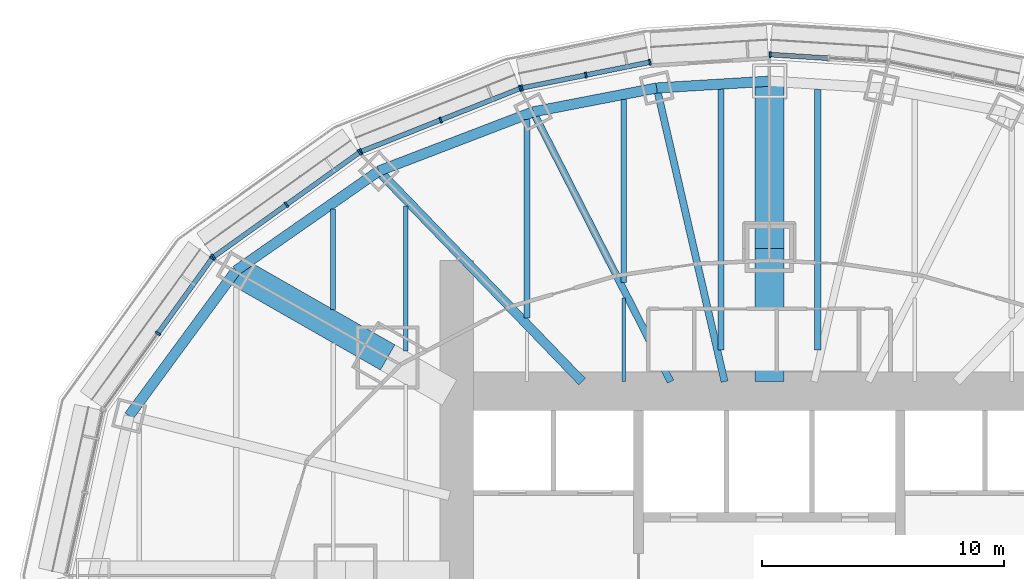
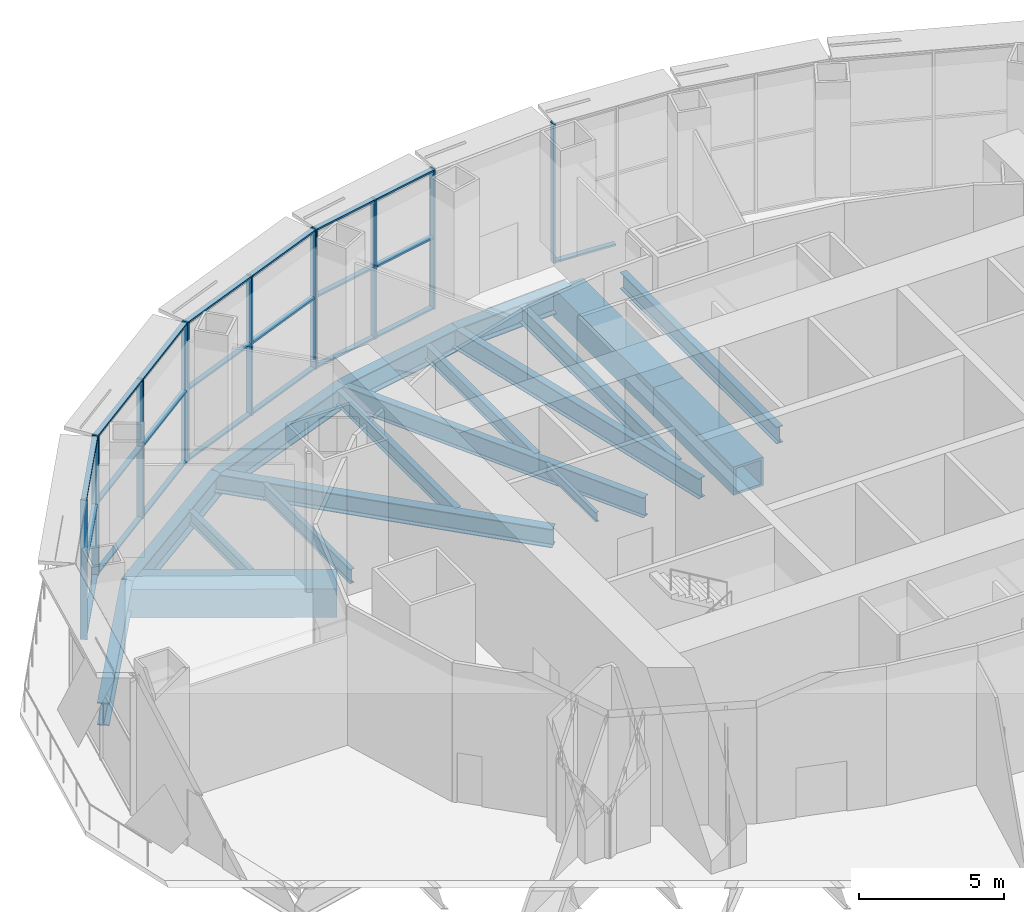
# One storey, part 6 of 21: 34 members, 18 beams, 5 elements without a shape of their own.
"""IFC4 building model written with IfcOpenShell, lengths in metres."""

from ifc_helpers import new_model, si_unit, direction, frame, origin, origin_2d, place, context, subcontext, project, spatial, rectangle, hollow_rectangle, i_section, extrude, material, material_profile, profile_set, type_object, element, aggregate, save


model = new_model("IFC4")

# Units and contexts
model_context = context("Model", 3, precision=1e-05, world=origin(), true_north=direction((0.0, 1.0)))
body_context = subcontext(model_context, "Body", "Model", "MODEL_VIEW")
ifc_project = project(units=[si_unit("LENGTHUNIT", "METRE"), si_unit("AREAUNIT", "SQUARE_METRE"), si_unit("VOLUMEUNIT", "CUBIC_METRE"), si_unit("PLANEANGLEUNIT", "RADIAN"), si_unit("MASSUNIT", "GRAM", prefix="KILO")], contexts=[model_context])

# Site, building, storey
site_placement = place(None, origin())
site = spatial("IfcSite", under=ifc_project, at=site_placement, CompositionType="ELEMENT")
building_placement = place(site_placement, origin())
building = spatial("IfcBuilding", under=site, at=building_placement, Name="Lantaw Convention Tower", CompositionType="ELEMENT")
storey_placement = place(building_placement, frame((0.0, 0.0, 111.39990234375)))
storey = spatial("IfcBuildingStorey", under=building, at=storey_placement, Name="L26", CompositionType="ELEMENT", Elevation=111.39990234375)

# Beams
ifc_material_1 = material(Name="Steel ASTM A992", Category="steel")
ifc_material_profile_1 = material_profile(ifc_material_1, i_section(OverallWidth=0.424072265625, OverallDepth=0.947509765625, WebThickness=0.02392578125, FlangeThickness=0.042724609375, FilletRadius=0.012451171875, at=origin_2d()), Name="W36X302")
ifc_profile_set_1 = profile_set([ifc_material_profile_1], Name="Steel ASTM A992")
beam_type_1 = type_object("IfcBeamType", Name="Beam BC W36X302", PredefinedType="SPANDREL", material=ifc_profile_set_1)
beam_1_placement = place(storey_placement, frame((0.0, 20.39990234375, -0.673583984375), z_axis=(-0.998190892054, -0.06012439621, 0.0), x_axis=(0.06012439621, -0.998190892054, 0.0)))
element("IfcBeam", 1, at=beam_1_placement, inside=storey, type_object=beam_type_1, Name="Belt truss chord 7", PredefinedType="SPANDREL", context=body_context, shape_type="SweptSolid", body=[
    extrude(i_section(OverallWidth=0.424072265625, OverallDepth=0.947509765625, WebThickness=0.02392578125, FlangeThickness=0.042724609375, FilletRadius=0.012451171875, at=origin_2d()), origin(), (0.0, 0.0, 1.0), 4.6533203125),
])
beam_2_placement = place(storey_placement, frame((-4.64501953125, 20.1201171875, -0.673583984375), z_axis=(-0.981796805654, -0.189934284446, 0.0), x_axis=(0.189934284446, -0.981796805654, 0.0)))
element("IfcBeam", 2, at=beam_2_placement, inside=storey, type_object=beam_type_1, Name="Belt truss chord 8", PredefinedType="SPANDREL", context=body_context, shape_type="SweptSolid", body=[
    extrude(i_section(OverallWidth=0.424072265625, OverallDepth=0.947509765625, WebThickness=0.02392578125, FlangeThickness=0.042724609375, FilletRadius=0.012451171875, at=origin_2d()), origin(), (0.0, 0.0, 1.0), 5.1982421875),
])
beam_3_placement = place(storey_placement, frame((-9.74853515625, 19.1328125, -0.673583984375), z_axis=(-0.933691081977, -0.358079549033, 0.0), x_axis=(0.358079549033, -0.933691081977, 0.0)))
element("IfcBeam", 3, at=beam_3_placement, inside=storey, type_object=beam_type_1, Name="Belt truss chord 9", PredefinedType="SPANDREL", context=body_context, shape_type="SweptSolid", body=[
    extrude(i_section(OverallWidth=0.424072265625, OverallDepth=0.947509765625, WebThickness=0.02392578125, FlangeThickness=0.042724609375, FilletRadius=0.012451171875, at=origin_2d()), origin(), (0.0, 0.0, 1.0), 6.821533203125),
])
beam_4_placement = place(storey_placement, frame((-16.11767578125, 16.690185546875, -0.673583984375), z_axis=(-0.820310765287, -0.57191804339, 0.0), x_axis=(0.57191804339, -0.820310765287, 0.0)))
element("IfcBeam", 4, at=beam_4_placement, inside=storey, type_object=beam_type_1, Name="Belt truss chord 10", PredefinedType="SPANDREL", context=body_context, shape_type="SweptSolid", body=[
    extrude(i_section(OverallWidth=0.424072265625, OverallDepth=0.947509765625, WebThickness=0.02392578125, FlangeThickness=0.042724609375, FilletRadius=0.012451171875, at=origin_2d()), origin(), (0.0, 0.0, 1.0), 7.187744140625),
])
beam_5_placement = place(storey_placement, frame((-22.013916015625, 12.579345703125, -0.673583984375), z_axis=(-0.5923891972, -0.805651934176, 0.0), x_axis=(0.805651934176, -0.5923891972, 0.0)))
element("IfcBeam", 5, at=beam_5_placement, inside=storey, type_object=beam_type_1, Name="Belt truss chord 11", PredefinedType="SPANDREL", context=body_context, shape_type="SweptSolid", body=[
    extrude(i_section(OverallWidth=0.424072265625, OverallDepth=0.947509765625, WebThickness=0.02392578125, FlangeThickness=0.042724609375, FilletRadius=0.012451171875, at=origin_2d()), origin(), (0.0, 0.0, 1.0), 7.437744140625),
])
ifc_material_2 = material(Name="Steel EN 10025-3 S460N", Category="steel")
ifc_material_profile_2 = material_profile(ifc_material_2, hollow_rectangle(XDim=1.199951171875, YDim=1.199951171875, WallThickness=0.10009765625, at=origin_2d()), Name="BOX1200X100")
ifc_profile_set_2 = profile_set([ifc_material_profile_2], Name="Steel EN 10025-3 S460N")
beam_type_2 = type_object("IfcBeamType", Name="Beam G BOX1200X100", PredefinedType="BEAM", material=ifc_profile_set_2)
beam_6_placement = place(storey_placement, frame((0.0, 13.5, -0.7998046875), z_axis=(0.0, 1.0, 0.0), x_axis=(-1.0, 0.0, 0.0)))
element("IfcBeam", 6, at=beam_6_placement, inside=storey, type_object=beam_type_2, Name="Floor girder on ray 7", PredefinedType="BEAM", context=body_context, shape_type="SweptSolid", body=[
    extrude(hollow_rectangle(XDim=1.199951171875, YDim=1.199951171875, WallThickness=0.10009765625, at=origin_2d()), origin(), (0.0, 0.0, 1.0), 6.89990234375),
])
beam_7_placement = place(storey_placement, frame((-15.75, 9.0, -0.7998046875), z_axis=(-0.868245224608, 0.496135293993, 0.0), x_axis=(-0.496135293993, -0.868245224608, 0.0)))
element("IfcBeam", 7, at=beam_7_placement, inside=storey, type_object=beam_type_2, Name="Floor girder on ray 11", PredefinedType="BEAM", context=body_context, shape_type="SweptSolid", body=[
    extrude(hollow_rectangle(XDim=1.199951171875, YDim=1.199951171875, WallThickness=0.10009765625, at=origin_2d()), origin(), (0.0, 0.0, 1.0), 7.21435546875),
])
ifc_material_profile_3 = material_profile(ifc_material_1, i_section(OverallWidth=0.383544921875, OverallDepth=0.784912109375, WebThickness=0.019775390625, FlangeThickness=0.033447265625, FilletRadius=0.014892578125, at=origin_2d()), Name="W30X211")
ifc_profile_set_3 = profile_set([ifc_material_profile_3], Name="Steel ASTM A992")
beam_type_3 = type_object("IfcBeamType", Name="Beam G W30X211", PredefinedType="BEAM", material=ifc_profile_set_3)
beam_8_placement = place(storey_placement, frame((-7.7255859375, 8.0, -0.59228515625), z_axis=(-0.694661591875, 0.719336689439, 0.0), x_axis=(-0.719336689439, -0.694661591875, 0.0)))
element("IfcBeam", 8, at=beam_8_placement, inside=storey, type_object=beam_type_3, Name="Floor girder on ray 10", PredefinedType="BEAM", context=body_context, shape_type="SweptSolid", body=[
    extrude(i_section(OverallWidth=0.383544921875, OverallDepth=0.784912109375, WebThickness=0.019775390625, FlangeThickness=0.033447265625, FilletRadius=0.014892578125, at=origin_2d()), origin(), (0.0, 0.0, 1.0), 12.080810546875),
])
ifc_material_profile_4 = material_profile(ifc_material_1, i_section(OverallWidth=0.2919921875, OverallDepth=0.845703125, WebThickness=0.015380859375, FlangeThickness=0.0244140625, FilletRadius=0.01513671875, at=origin_2d()), Name="W33X141")
ifc_profile_set_4 = profile_set([ifc_material_profile_4], Name="Steel ASTM A992")
beam_type_4 = type_object("IfcBeamType", Name="Beam G W33X141", PredefinedType="BEAM", material=ifc_profile_set_4)
beam_9_placement = place(storey_placement, frame((-1.846923828125, 8.0, -0.622802734375), z_axis=(-0.224946945919, 0.974371013281, 0.0), x_axis=(-0.974371013281, -0.224946945919, 0.0)))
element("IfcBeam", 9, at=beam_9_placement, inside=storey, type_object=beam_type_4, Name="Floor girder on ray 8", PredefinedType="BEAM", context=body_context, shape_type="SweptSolid", body=[
    extrude(i_section(OverallWidth=0.2919921875, OverallDepth=0.845703125, WebThickness=0.015380859375, FlangeThickness=0.0244140625, FilletRadius=0.01513671875, at=origin_2d()), origin(), (0.0, 0.0, 1.0), 12.43896484375),
])
beam_10_placement = place(storey_placement, frame((-4.076171875, 8.0, -0.622802734375), z_axis=(-0.453984907555, 0.891009373527, 0.0), x_axis=(-0.891009373527, -0.453984907555, 0.0)))
element("IfcBeam", 10, at=beam_10_placement, inside=storey, type_object=beam_type_4, Name="Floor girder on ray 9", PredefinedType="BEAM", context=body_context, shape_type="SweptSolid", body=[
    extrude(i_section(OverallWidth=0.2919921875, OverallDepth=0.845703125, WebThickness=0.015380859375, FlangeThickness=0.0244140625, FilletRadius=0.01513671875, at=origin_2d()), origin(), (0.0, 0.0, 1.0), 12.49462890625),
])
ifc_material_profile_5 = material_profile(ifc_material_1, i_section(OverallWidth=0.140380859375, OverallDepth=0.40380859375, WebThickness=0.007080078125, FlangeThickness=0.01123046875, FilletRadius=0.01025390625, at=origin_2d()), Name="W16X31")
ifc_profile_set_5 = profile_set([ifc_material_profile_5], Name="Steel ASTM A992")
beam_type_5 = type_object("IfcBeamType", Name="Beam J W16X31", PredefinedType="JOIST", material=ifc_profile_set_5)
beam_11_placement = place(storey_placement, frame((-6.0, 8.0, -0.40185546875), z_axis=(0.0, 1.0, 0.0), x_axis=(-1.0, 0.0, 0.0)))
element("IfcBeam", 11, at=beam_11_placement, inside=storey, type_object=beam_type_5, Name="Floor joist", PredefinedType="JOIST", context=body_context, shape_type="SweptSolid", body=[
    extrude(i_section(OverallWidth=0.140380859375, OverallDepth=0.40380859375, WebThickness=0.007080078125, FlangeThickness=0.01123046875, FilletRadius=0.01025390625, at=origin_2d()), origin(), (0.0, 0.0, 1.0), 3.453857421875),
])
ifc_material_profile_6 = material_profile(ifc_material_1, i_section(OverallWidth=0.2099609375, OverallDepth=0.535888671875, WebThickness=0.010986328125, FlangeThickness=0.017333984375, FilletRadius=0.012939453125, at=origin_2d()), Name="W21X68")
ifc_profile_set_6 = profile_set([ifc_material_profile_6], Name="Steel ASTM A992")
beam_type_6 = type_object("IfcBeamType", Name="Beam J W21X68", PredefinedType="JOIST", material=ifc_profile_set_6)
beam_12_placement = place(storey_placement, frame((-18.0, 10.976806640625, -0.4677734375), z_axis=(0.0, 1.0, 0.0), x_axis=(-1.0, 0.0, 0.0)))
element("IfcBeam", 12, at=beam_12_placement, inside=storey, type_object=beam_type_6, Name="Floor joist", PredefinedType="JOIST", context=body_context, shape_type="SweptSolid", body=[
    extrude(i_section(OverallWidth=0.2099609375, OverallDepth=0.535888671875, WebThickness=0.010986328125, FlangeThickness=0.017333984375, FilletRadius=0.012939453125, at=origin_2d()), origin(), (0.0, 0.0, 1.0), 4.142578125),
])
ifc_material_profile_7 = material_profile(ifc_material_1, i_section(OverallWidth=0.177978515625, OverallDepth=0.599365234375, WebThickness=0.010009765625, FlangeThickness=0.012939453125, FilletRadius=0.012939453125, at=origin_2d()), Name="W24X55")
ifc_profile_set_7 = profile_set([ifc_material_profile_7], Name="Steel ASTM A992")
beam_type_7 = type_object("IfcBeamType", Name="Beam J W24X55", PredefinedType="JOIST", material=ifc_profile_set_7)
beam_13_placement = place(storey_placement, frame((-15.0, 9.262451171875, -0.49951171875), z_axis=(0.0, 1.0, 0.0), x_axis=(-1.0, 0.0, 0.0)))
element("IfcBeam", 13, at=beam_13_placement, inside=storey, type_object=beam_type_7, Name="Floor joist", PredefinedType="JOIST", context=body_context, shape_type="SweptSolid", body=[
    extrude(i_section(OverallWidth=0.177978515625, OverallDepth=0.599365234375, WebThickness=0.010009765625, FlangeThickness=0.012939453125, FilletRadius=0.012939453125, at=origin_2d()), origin(), (0.0, 0.0, 1.0), 5.994384765625),
])
ifc_material_profile_8 = material_profile(ifc_material_1, i_section(OverallWidth=0.227783203125, OverallDepth=0.60205078125, WebThickness=0.010498046875, FlangeThickness=0.014892578125, FilletRadius=0.012939453125, at=origin_2d()), Name="W24X68")
ifc_profile_set_8 = profile_set([ifc_material_profile_8], Name="Steel ASTM A992")
beam_type_8 = type_object("IfcBeamType", Name="Beam J W24X68", PredefinedType="JOIST", material=ifc_profile_set_8)
beam_14_placement = place(storey_placement, frame((-6.0, 12.097412109375, -0.5009765625), z_axis=(0.0, 1.0, 0.0), x_axis=(-1.0, 0.0, 0.0)))
element("IfcBeam", 14, at=beam_14_placement, inside=storey, type_object=beam_type_8, Name="Floor joist", PredefinedType="JOIST", context=body_context, shape_type="SweptSolid", body=[
    extrude(i_section(OverallWidth=0.227783203125, OverallDepth=0.60205078125, WebThickness=0.010498046875, FlangeThickness=0.014892578125, FilletRadius=0.012939453125, at=origin_2d()), origin(), (0.0, 0.0, 1.0), 7.54443359375),
])
ifc_material_profile_9 = material_profile(ifc_material_1, i_section(OverallWidth=0.22900390625, OverallDepth=0.612060546875, WebThickness=0.011962890625, FlangeThickness=0.01953125, FilletRadius=0.0126953125, at=origin_2d()), Name="W24X84")
ifc_profile_set_9 = profile_set([ifc_material_profile_9], Name="Steel ASTM A992")
beam_type_9 = type_object("IfcBeamType", Name="Beam J W24X84", PredefinedType="JOIST", material=ifc_profile_set_9)
beam_15_placement = place(storey_placement, frame((-10.0, 10.63134765625, -0.505859375), z_axis=(0.0, 1.0, 0.0), x_axis=(-1.0, 0.0, 0.0)))
element("IfcBeam", 15, at=beam_15_placement, inside=storey, type_object=beam_type_9, Name="Floor joist", PredefinedType="JOIST", context=body_context, shape_type="SweptSolid", body=[
    extrude(i_section(OverallWidth=0.22900390625, OverallDepth=0.612060546875, WebThickness=0.011962890625, FlangeThickness=0.01953125, FilletRadius=0.0126953125, at=origin_2d()), origin(), (0.0, 0.0, 1.0), 8.177734375),
])
ifc_material_profile_10 = material_profile(ifc_material_1, i_section(OverallWidth=0.25390625, OverallDepth=0.700927734375, WebThickness=0.015380859375, FlangeThickness=0.02783203125, FilletRadius=0.01513671875, at=origin_2d()), Name="W27X129")
ifc_profile_set_10 = profile_set([ifc_material_profile_10], Name="Steel ASTM A992")
beam_type_10 = type_object("IfcBeamType", Name="Beam J W27X129", PredefinedType="JOIST", material=ifc_profile_set_10)
for number, where, z_axis, x_axis, name in (
    (16, (-2.0, 9.312255859375, -0.550537109375), (0.0, 1.0, 0.0), (-1.0, 0.0, 0.0), "Floor joist"),
    (17, (2.0, 9.312255859375, -0.550537109375), (0.0, 1.0, 0.0), (-1.0, 0.0, 0.0), "Floor joist"),
):
    element("IfcBeam", number, at=place(storey_placement, frame(where, z_axis=z_axis, x_axis=x_axis)), inside=storey, type_object=beam_type_10, Name=name, PredefinedType="JOIST", context=body_context, shape_type="SweptSolid", body=[
        extrude(i_section(OverallWidth=0.25390625, OverallDepth=0.700927734375, WebThickness=0.015380859375, FlangeThickness=0.02783203125, FilletRadius=0.01513671875, at=origin_2d()), origin(), (0.0, 0.0, 1.0), 10.754638671875),
    ])
ifc_material_profile_11 = material_profile(ifc_material_2, hollow_rectangle(XDim=1.199951171875, YDim=1.199951171875, WallThickness=0.10009765625, at=origin_2d()), Name="BOX1200X100")
ifc_profile_set_11 = profile_set([ifc_material_profile_11], Name="Steel EN 10025-3 S460N")
beam_type_11 = type_object("IfcBeamType", Name="Beam OC BOX1200X100", PredefinedType="BEAM", material=ifc_profile_set_11)
beam_16_placement = place(storey_placement, frame((0.0, 8.0, -0.7998046875), z_axis=(0.0, 1.0, 0.0), x_axis=(-1.0, 0.0, 0.0)))
element("IfcBeam", 18, at=beam_16_placement, inside=storey, type_object=beam_type_11, Name="Outrigger chord on ray 7", PredefinedType="BEAM", context=body_context, shape_type="SweptSolid", body=[
    extrude(hollow_rectangle(XDim=1.199951171875, YDim=1.199951171875, WallThickness=0.10009765625, at=origin_2d()), origin(), (0.0, 0.0, 1.0), 5.5),
])

# Curtain wall, member
ifc_material_3 = material(Name="Aluminium framed curtain wall", Category="aluminium")
curtain_wall_type = type_object("IfcCurtainWallType", Name="Sky lobby curtain wall L26, pale aluminium", PredefinedType="USERDEFINED", material=ifc_material_3)
curtain_wall_1_placement = place(storey_placement, origin())
curtain_wall_1 = element("IfcCurtainWall", 19, at=curtain_wall_1_placement, inside=storey, type_object=curtain_wall_type, Name="Sky lobby curtain wall L26, pale aluminium L26", ObjectType="STICK CURTAIN WALL", PredefinedType="USERDEFINED")
ifc_material_4 = material(Name="Aluminium 6063-T6", Category="aluminium")
ifc_material_profile_12 = material_profile(ifc_material_4, rectangle(XDim=0.25, YDim=0.074951171875, at=origin_2d()), Name="CW-SL mullion 75x250")
ifc_profile_set_12 = profile_set([ifc_material_profile_12], Name="Aluminium 6063-T6")
member_type_1 = type_object("IfcMemberType", Name="CW-SL mullion 75x250", PredefinedType="MULLION", material=ifc_profile_set_12)
member_1_placement = place(storey_placement, frame((0.037353515625, 21.49755859375, 0.0), z_axis=(0.0, 0.0, 1.0), x_axis=(-0.062865059466, -0.998022035978, 0.0)))
member_1 = element("IfcMember", 20, at=member_1_placement, type_object=member_type_1, Name="CW-SL mullion 3", PredefinedType="MULLION", context=body_context, shape_type="SweptSolid", body=[
    extrude(rectangle(XDim=0.25, YDim=0.074951171875, at=origin_2d()), origin(), (0.0, 0.0, 1.0), 5.85009765625),
])

# Curtain wall, members
curtain_wall_2_placement = place(storey_placement, origin())
curtain_wall_2 = element("IfcCurtainWall", 21, at=curtain_wall_2_placement, inside=storey, type_object=curtain_wall_type, Name="Sky lobby curtain wall L26, pale aluminium L26", ObjectType="STICK CURTAIN WALL", PredefinedType="USERDEFINED")
member_2_placement = place(storey_placement, frame((-4.92919921875, 21.184326171875, 0.0), z_axis=(0.0, 0.0, 1.0), x_axis=(0.197506809659, -0.980301514912, 0.0)))
member_2 = element("IfcMember", 22, at=member_2_placement, type_object=member_type_1, Name="CW-SL mullion 1", PredefinedType="MULLION", context=body_context, shape_type="SweptSolid", body=[
    extrude(rectangle(XDim=0.25, YDim=0.074951171875, at=origin_2d()), origin(), (0.0, 0.0, 1.0), 5.85009765625),
])
member_3_placement = place(storey_placement, frame((-7.5703125, 20.65234375, 0.0), z_axis=(0.0, 0.0, 1.0), x_axis=(0.197506809659, -0.980301514912, 0.0)))
member_3 = element("IfcMember", 23, at=member_3_placement, type_object=member_type_1, Name="CW-SL mullion 2", PredefinedType="MULLION", context=body_context, shape_type="SweptSolid", body=[
    extrude(rectangle(XDim=0.25, YDim=0.074951171875, at=origin_2d()), origin(), (0.0, 0.0, 1.0), 5.85009765625),
])
member_4_placement = place(storey_placement, frame((-10.211181640625, 20.1201171875, 0.0), z_axis=(0.0, 0.0, 1.0), x_axis=(0.197506809659, -0.980301514912, 0.0)))
member_4 = element("IfcMember", 24, at=member_4_placement, type_object=member_type_1, Name="CW-SL mullion 3", PredefinedType="MULLION", context=body_context, shape_type="SweptSolid", body=[
    extrude(rectangle(XDim=0.25, YDim=0.074951171875, at=origin_2d()), origin(), (0.0, 0.0, 1.0), 5.85009765625),
])

curtain_wall_3_placement = place(storey_placement, origin())
curtain_wall_3 = element("IfcCurtainWall", 25, at=curtain_wall_3_placement, inside=storey, type_object=curtain_wall_type, Name="Sky lobby curtain wall L26, pale aluminium L26", ObjectType="STICK CURTAIN WALL", PredefinedType="USERDEFINED")
member_5_placement = place(storey_placement, frame((-10.282958984375, 20.098876953125, 0.0), z_axis=(0.0, 0.0, 1.0), x_axis=(0.368701907483, -0.929547687544, 0.0)))
member_5 = element("IfcMember", 26, at=member_5_placement, type_object=member_type_1, Name="CW-SL mullion 1", PredefinedType="MULLION", context=body_context, shape_type="SweptSolid", body=[
    extrude(rectangle(XDim=0.25, YDim=0.074951171875, at=origin_2d()), origin(), (0.0, 0.0, 1.0), 5.85009765625),
])
member_6_placement = place(storey_placement, frame((-13.56494140625, 18.797119140625, 0.0), z_axis=(0.0, 0.0, 1.0), x_axis=(0.368701907483, -0.929547687544, 0.0)))
member_6 = element("IfcMember", 27, at=member_6_placement, type_object=member_type_1, Name="CW-SL mullion 2", PredefinedType="MULLION", context=body_context, shape_type="SweptSolid", body=[
    extrude(rectangle(XDim=0.25, YDim=0.074951171875, at=origin_2d()), origin(), (0.0, 0.0, 1.0), 5.85009765625),
])
member_7_placement = place(storey_placement, frame((-16.846923828125, 17.495361328125, 0.0), z_axis=(0.0, 0.0, 1.0), x_axis=(0.368701907483, -0.929547687544, 0.0)))
member_7 = element("IfcMember", 28, at=member_7_placement, type_object=member_type_1, Name="CW-SL mullion 3", PredefinedType="MULLION", context=body_context, shape_type="SweptSolid", body=[
    extrude(rectangle(XDim=0.25, YDim=0.074951171875, at=origin_2d()), origin(), (0.0, 0.0, 1.0), 5.85009765625),
])

curtain_wall_4_placement = place(storey_placement, origin())
curtain_wall_4 = element("IfcCurtainWall", 29, at=curtain_wall_4_placement, inside=storey, type_object=curtain_wall_type, Name="Sky lobby curtain wall L26, pale aluminium L26", ObjectType="STICK CURTAIN WALL", PredefinedType="USERDEFINED")
member_8_placement = place(storey_placement, frame((-16.912353515625, 17.459716796875, 0.0), z_axis=(0.0, 0.0, 1.0), x_axis=(0.581972695693, -0.813208325995, 0.0)))
member_8 = element("IfcMember", 30, at=member_8_placement, type_object=member_type_1, Name="CW-SL mullion 1", PredefinedType="MULLION", context=body_context, shape_type="SweptSolid", body=[
    extrude(rectangle(XDim=0.25, YDim=0.074951171875, at=origin_2d()), origin(), (0.0, 0.0, 1.0), 5.85009765625),
])
member_9_placement = place(storey_placement, frame((-19.92529296875, 15.303466796875, 0.0), z_axis=(0.0, 0.0, 1.0), x_axis=(0.581972695693, -0.813208325995, 0.0)))
member_9 = element("IfcMember", 31, at=member_9_placement, type_object=member_type_1, Name="CW-SL mullion 2", PredefinedType="MULLION", context=body_context, shape_type="SweptSolid", body=[
    extrude(rectangle(XDim=0.25, YDim=0.074951171875, at=origin_2d()), origin(), (0.0, 0.0, 1.0), 5.85009765625),
])
member_10_placement = place(storey_placement, frame((-22.9384765625, 13.14697265625, 0.0), z_axis=(0.0, 0.0, 1.0), x_axis=(0.581972695693, -0.813208325995, 0.0)))
member_10 = element("IfcMember", 32, at=member_10_placement, type_object=member_type_1, Name="CW-SL mullion 3", PredefinedType="MULLION", context=body_context, shape_type="SweptSolid", body=[
    extrude(rectangle(XDim=0.25, YDim=0.074951171875, at=origin_2d()), origin(), (0.0, 0.0, 1.0), 5.85009765625),
])

curtain_wall_5_placement = place(storey_placement, origin())
curtain_wall_5 = element("IfcCurtainWall", 33, at=curtain_wall_5_placement, inside=storey, type_object=curtain_wall_type, Name="Sky lobby curtain wall L26, pale aluminium L26", ObjectType="STICK CURTAIN WALL", PredefinedType="USERDEFINED")
member_11_placement = place(storey_placement, frame((-22.990966796875, 13.0947265625, 0.0), z_axis=(0.0, 0.0, 1.0), x_axis=(0.811384633629, -0.584512597221, 0.0)))
member_11 = element("IfcMember", 34, at=member_11_placement, type_object=member_type_1, Name="CW-SL mullion 1", PredefinedType="MULLION", context=body_context, shape_type="SweptSolid", body=[
    extrude(rectangle(XDim=0.25, YDim=0.074951171875, at=origin_2d()), origin(), (0.0, 0.0, 1.0), 5.85009765625),
])
member_12_placement = place(storey_placement, frame((-25.22802734375, 9.9892578125, 0.0), z_axis=(0.0, 0.0, 1.0), x_axis=(0.811384633629, -0.584512597221, 0.0)))
member_12 = element("IfcMember", 35, at=member_12_placement, type_object=member_type_1, Name="CW-SL mullion 2", PredefinedType="MULLION", context=body_context, shape_type="SweptSolid", body=[
    extrude(rectangle(XDim=0.25, YDim=0.074951171875, at=origin_2d()), origin(), (0.0, 0.0, 1.0), 5.85009765625),
])

# Member
ifc_material_profile_13 = material_profile(ifc_material_4, rectangle(XDim=0.199951171875, YDim=0.074951171875, at=origin_2d()), Name="CW-SL transom 75x200")
ifc_profile_set_13 = profile_set([ifc_material_profile_13], Name="Aluminium 6063-T6")
member_type_2 = type_object("IfcMemberType", Name="CW-SL transom 75x200", PredefinedType="USERDEFINED", material=ifc_profile_set_13)
member_13_placement = place(storey_placement, frame((2.408935546875, 21.348388671875, 0.03759765625), z_axis=(-0.998023221725, 0.062846232163, 0.0), x_axis=(-0.062846232163, -0.998023221725, 0.0)))
member_13 = element("IfcMember", 36, at=member_13_placement, type_object=member_type_2, Name="CW-SL transom 2.1", ObjectType="TRANSOM", PredefinedType="USERDEFINED", context=body_context, shape_type="SweptSolid", body=[
    extrude(rectangle(XDim=0.199951171875, YDim=0.074951171875, at=origin_2d()), origin(), (0.0, 0.0, 1.0), 2.338623046875),
])

aggregate(curtain_wall_1, [member_1, member_13])

member_14_placement = place(storey_placement, frame((-4.966064453125, 21.177001953125, 0.03759765625), z_axis=(-0.980296409083, -0.197532150138, 0.0), x_axis=(0.197532150138, -0.980296409083, 0.0)))
member_14 = element("IfcMember", 37, at=member_14_placement, type_object=member_type_2, Name="CW-SL transom 1.1", ObjectType="TRANSOM", PredefinedType="USERDEFINED", context=body_context, shape_type="SweptSolid", body=[
    extrude(rectangle(XDim=0.199951171875, YDim=0.074951171875, at=origin_2d()), origin(), (0.0, 0.0, 1.0), 2.618896484375),
])

member_15_placement = place(storey_placement, frame((-4.966064453125, 21.177001953125, 3.0), z_axis=(-0.980296409083, -0.197532150138, 0.0), x_axis=(0.197532150138, -0.980296409083, 0.0)))
member_15 = element("IfcMember", 38, at=member_15_placement, type_object=member_type_2, Name="CW-SL transom 1.2", ObjectType="TRANSOM", PredefinedType="USERDEFINED", context=body_context, shape_type="SweptSolid", body=[
    extrude(rectangle(XDim=0.199951171875, YDim=0.074951171875, at=origin_2d()), origin(), (0.0, 0.0, 1.0), 2.618896484375),
])

member_16_placement = place(storey_placement, frame((-4.966064453125, 21.177001953125, 5.8125), z_axis=(-0.980296409083, -0.197532150138, 0.0), x_axis=(0.197532150138, -0.980296409083, 0.0)))
member_16 = element("IfcMember", 39, at=member_16_placement, type_object=member_type_2, Name="CW-SL transom 1.3", ObjectType="TRANSOM", PredefinedType="USERDEFINED", context=body_context, shape_type="SweptSolid", body=[
    extrude(rectangle(XDim=0.199951171875, YDim=0.074951171875, at=origin_2d()), origin(), (0.0, 0.0, 1.0), 2.618896484375),
])

member_17_placement = place(storey_placement, frame((-7.60693359375, 20.64501953125, 0.03759765625), z_axis=(-0.980300045913, -0.197514100722, 0.0), x_axis=(0.197514100722, -0.980300045913, 0.0)))
member_17 = element("IfcMember", 40, at=member_17_placement, type_object=member_type_2, Name="CW-SL transom 2.1", ObjectType="TRANSOM", PredefinedType="USERDEFINED", context=body_context, shape_type="SweptSolid", body=[
    extrude(rectangle(XDim=0.199951171875, YDim=0.074951171875, at=origin_2d()), origin(), (0.0, 0.0, 1.0), 2.619140625),
])

member_18_placement = place(storey_placement, frame((-7.60693359375, 20.64501953125, 3.0), z_axis=(-0.980300045913, -0.197514100722, 0.0), x_axis=(0.197514100722, -0.980300045913, 0.0)))
member_18 = element("IfcMember", 41, at=member_18_placement, type_object=member_type_2, Name="CW-SL transom 2.2", ObjectType="TRANSOM", PredefinedType="USERDEFINED", context=body_context, shape_type="SweptSolid", body=[
    extrude(rectangle(XDim=0.199951171875, YDim=0.074951171875, at=origin_2d()), origin(), (0.0, 0.0, 1.0), 2.619140625),
])

member_19_placement = place(storey_placement, frame((-7.60693359375, 20.64501953125, 5.8125), z_axis=(-0.980300045913, -0.197514100722, 0.0), x_axis=(0.197514100722, -0.980300045913, 0.0)))
member_19 = element("IfcMember", 42, at=member_19_placement, type_object=member_type_2, Name="CW-SL transom 2.3", ObjectType="TRANSOM", PredefinedType="USERDEFINED", context=body_context, shape_type="SweptSolid", body=[
    extrude(rectangle(XDim=0.199951171875, YDim=0.074951171875, at=origin_2d()), origin(), (0.0, 0.0, 1.0), 2.619140625),
])

aggregate(curtain_wall_2, [member_2, member_3, member_4, member_14, member_15, member_16, member_17, member_18, member_19])

member_20_placement = place(storey_placement, frame((-10.317626953125, 20.085205078125, 0.03759765625), z_axis=(-0.92954951909, -0.368697289872, 0.0), x_axis=(0.368697289872, -0.92954951909, 0.0)))
member_20 = element("IfcMember", 43, at=member_20_placement, type_object=member_type_2, Name="CW-SL transom 1.1", ObjectType="TRANSOM", PredefinedType="USERDEFINED", context=body_context, shape_type="SweptSolid", body=[
    extrude(rectangle(XDim=0.199951171875, YDim=0.074951171875, at=origin_2d()), origin(), (0.0, 0.0, 1.0), 3.455810546875),
])

member_21_placement = place(storey_placement, frame((-10.317626953125, 20.085205078125, 3.0), z_axis=(-0.92954951909, -0.368697289872, 0.0), x_axis=(0.368697289872, -0.92954951909, 0.0)))
member_21 = element("IfcMember", 44, at=member_21_placement, type_object=member_type_2, Name="CW-SL transom 1.2", ObjectType="TRANSOM", PredefinedType="USERDEFINED", context=body_context, shape_type="SweptSolid", body=[
    extrude(rectangle(XDim=0.199951171875, YDim=0.074951171875, at=origin_2d()), origin(), (0.0, 0.0, 1.0), 3.455810546875),
])

member_22_placement = place(storey_placement, frame((-10.317626953125, 20.085205078125, 5.8125), z_axis=(-0.92954951909, -0.368697289872, 0.0), x_axis=(0.368697289872, -0.92954951909, 0.0)))
member_22 = element("IfcMember", 45, at=member_22_placement, type_object=member_type_2, Name="CW-SL transom 1.3", ObjectType="TRANSOM", PredefinedType="USERDEFINED", context=body_context, shape_type="SweptSolid", body=[
    extrude(rectangle(XDim=0.199951171875, YDim=0.074951171875, at=origin_2d()), origin(), (0.0, 0.0, 1.0), 3.455810546875),
])

member_23_placement = place(storey_placement, frame((-13.599853515625, 18.783447265625, 0.03759765625), z_axis=(-0.929539914799, -0.368721503028, 0.0), x_axis=(0.368721503028, -0.929539914799, 0.0)))
member_23 = element("IfcMember", 46, at=member_23_placement, type_object=member_type_2, Name="CW-SL transom 2.1", ObjectType="TRANSOM", PredefinedType="USERDEFINED", context=body_context, shape_type="SweptSolid", body=[
    extrude(rectangle(XDim=0.199951171875, YDim=0.074951171875, at=origin_2d()), origin(), (0.0, 0.0, 1.0), 3.45556640625),
])

member_24_placement = place(storey_placement, frame((-13.599853515625, 18.783447265625, 3.0), z_axis=(-0.929539914799, -0.368721503028, 0.0), x_axis=(0.368721503028, -0.929539914799, 0.0)))
member_24 = element("IfcMember", 47, at=member_24_placement, type_object=member_type_2, Name="CW-SL transom 2.2", ObjectType="TRANSOM", PredefinedType="USERDEFINED", context=body_context, shape_type="SweptSolid", body=[
    extrude(rectangle(XDim=0.199951171875, YDim=0.074951171875, at=origin_2d()), origin(), (0.0, 0.0, 1.0), 3.45556640625),
])

member_25_placement = place(storey_placement, frame((-13.599853515625, 18.783447265625, 5.8125), z_axis=(-0.929539914799, -0.368721503028, 0.0), x_axis=(0.368721503028, -0.929539914799, 0.0)))
member_25 = element("IfcMember", 48, at=member_25_placement, type_object=member_type_2, Name="CW-SL transom 2.3", ObjectType="TRANSOM", PredefinedType="USERDEFINED", context=body_context, shape_type="SweptSolid", body=[
    extrude(rectangle(XDim=0.199951171875, YDim=0.074951171875, at=origin_2d()), origin(), (0.0, 0.0, 1.0), 3.45556640625),
])

aggregate(curtain_wall_3, [member_5, member_6, member_7, member_20, member_21, member_22, member_23, member_24, member_25])

member_26_placement = place(storey_placement, frame((-16.942626953125, 17.43798828125, 0.03759765625), z_axis=(-0.813219712688, -0.581956784388, 0.0), x_axis=(0.581956784388, -0.813219712688, 0.0)))
member_26 = element("IfcMember", 49, at=member_26_placement, type_object=member_type_2, Name="CW-SL transom 1.1", ObjectType="TRANSOM", PredefinedType="USERDEFINED", context=body_context, shape_type="SweptSolid", body=[
    extrude(rectangle(XDim=0.199951171875, YDim=0.074951171875, at=origin_2d()), origin(), (0.0, 0.0, 1.0), 3.630615234375),
])

member_27_placement = place(storey_placement, frame((-16.942626953125, 17.43798828125, 3.0), z_axis=(-0.813219712688, -0.581956784388, 0.0), x_axis=(0.581956784388, -0.813219712688, 0.0)))
member_27 = element("IfcMember", 50, at=member_27_placement, type_object=member_type_2, Name="CW-SL transom 1.2", ObjectType="TRANSOM", PredefinedType="USERDEFINED", context=body_context, shape_type="SweptSolid", body=[
    extrude(rectangle(XDim=0.199951171875, YDim=0.074951171875, at=origin_2d()), origin(), (0.0, 0.0, 1.0), 3.630615234375),
])

member_28_placement = place(storey_placement, frame((-16.942626953125, 17.43798828125, 5.8125), z_axis=(-0.813219712688, -0.581956784388, 0.0), x_axis=(0.581956784388, -0.813219712688, 0.0)))
member_28 = element("IfcMember", 51, at=member_28_placement, type_object=member_type_2, Name="CW-SL transom 1.3", ObjectType="TRANSOM", PredefinedType="USERDEFINED", context=body_context, shape_type="SweptSolid", body=[
    extrude(rectangle(XDim=0.199951171875, YDim=0.074951171875, at=origin_2d()), origin(), (0.0, 0.0, 1.0), 3.630615234375),
])

member_29_placement = place(storey_placement, frame((-19.955810546875, 15.281494140625, 0.03759765625), z_axis=(-0.813228763898, -0.581944136124, 0.0), x_axis=(0.581944136124, -0.813228763898, 0.0)))
member_29 = element("IfcMember", 52, at=member_29_placement, type_object=member_type_2, Name="CW-SL transom 2.1", ObjectType="TRANSOM", PredefinedType="USERDEFINED", context=body_context, shape_type="SweptSolid", body=[
    extrude(rectangle(XDim=0.199951171875, YDim=0.074951171875, at=origin_2d()), origin(), (0.0, 0.0, 1.0), 3.630126953125),
])

member_30_placement = place(storey_placement, frame((-19.955810546875, 15.281494140625, 3.0), z_axis=(-0.813228763898, -0.581944136124, 0.0), x_axis=(0.581944136124, -0.813228763898, 0.0)))
member_30 = element("IfcMember", 53, at=member_30_placement, type_object=member_type_2, Name="CW-SL transom 2.2", ObjectType="TRANSOM", PredefinedType="USERDEFINED", context=body_context, shape_type="SweptSolid", body=[
    extrude(rectangle(XDim=0.199951171875, YDim=0.074951171875, at=origin_2d()), origin(), (0.0, 0.0, 1.0), 3.630126953125),
])

member_31_placement = place(storey_placement, frame((-19.955810546875, 15.281494140625, 5.8125), z_axis=(-0.813228763898, -0.581944136124, 0.0), x_axis=(0.581944136124, -0.813228763898, 0.0)))
member_31 = element("IfcMember", 54, at=member_31_placement, type_object=member_type_2, Name="CW-SL transom 2.3", ObjectType="TRANSOM", PredefinedType="USERDEFINED", context=body_context, shape_type="SweptSolid", body=[
    extrude(rectangle(XDim=0.199951171875, YDim=0.074951171875, at=origin_2d()), origin(), (0.0, 0.0, 1.0), 3.630126953125),
])

aggregate(curtain_wall_4, [member_8, member_9, member_10, member_26, member_27, member_28, member_29, member_30, member_31])

member_32_placement = place(storey_placement, frame((-23.012939453125, 13.064453125, 0.03759765625), z_axis=(-0.584513808676, -0.811383760909, 0.0), x_axis=(0.811383760909, -0.584513808676, 0.0)))
member_32 = element("IfcMember", 55, at=member_32_placement, type_object=member_type_2, Name="CW-SL transom 1.1", ObjectType="TRANSOM", PredefinedType="USERDEFINED", context=body_context, shape_type="SweptSolid", body=[
    extrude(rectangle(XDim=0.199951171875, YDim=0.074951171875, at=origin_2d()), origin(), (0.0, 0.0, 1.0), 3.75244140625),
])

member_33_placement = place(storey_placement, frame((-23.012939453125, 13.064453125, 3.0), z_axis=(-0.584513808676, -0.811383760909, 0.0), x_axis=(0.811383760909, -0.584513808676, 0.0)))
member_33 = element("IfcMember", 56, at=member_33_placement, type_object=member_type_2, Name="CW-SL transom 1.2", ObjectType="TRANSOM", PredefinedType="USERDEFINED", context=body_context, shape_type="SweptSolid", body=[
    extrude(rectangle(XDim=0.199951171875, YDim=0.074951171875, at=origin_2d()), origin(), (0.0, 0.0, 1.0), 3.75244140625),
])

member_34_placement = place(storey_placement, frame((-23.012939453125, 13.064453125, 5.8125), z_axis=(-0.584513808676, -0.811383760909, 0.0), x_axis=(0.811383760909, -0.584513808676, 0.0)))
member_34 = element("IfcMember", 57, at=member_34_placement, type_object=member_type_2, Name="CW-SL transom 1.3", ObjectType="TRANSOM", PredefinedType="USERDEFINED", context=body_context, shape_type="SweptSolid", body=[
    extrude(rectangle(XDim=0.199951171875, YDim=0.074951171875, at=origin_2d()), origin(), (0.0, 0.0, 1.0), 3.75244140625),
])

aggregate(curtain_wall_5, [member_11, member_12, member_32, member_33, member_34])

save(model, "model.ifc")
